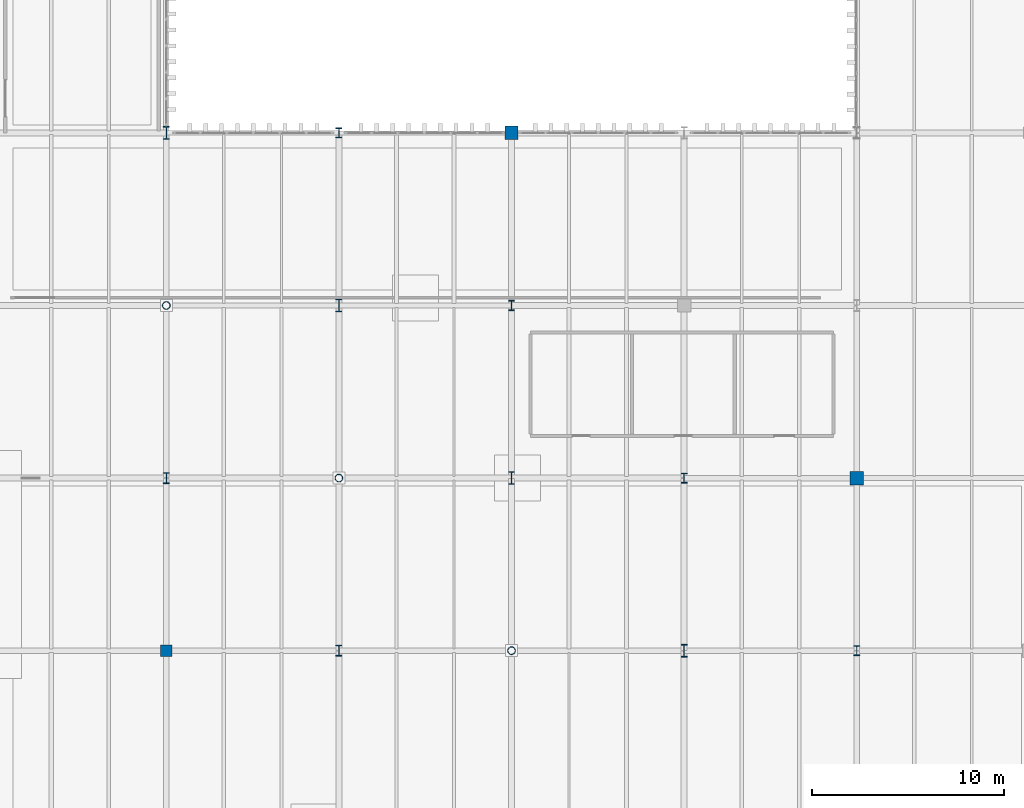
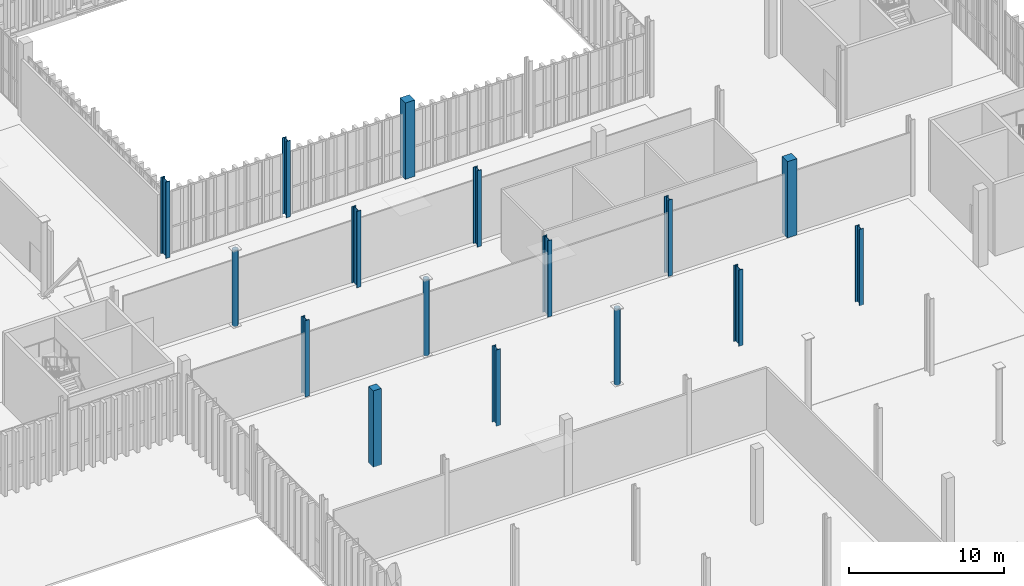
# One storey, part 15 of 211: 16 columns.
"""IFC4 building model written with IfcOpenShell, lengths in metres."""

from ifc_helpers import new_model, si_unit, direction, frame, origin, origin_2d, place, context, subcontext, project, spatial, rectangle, hollow_circle, i_section, extrude, material, material_profile, profile_set, type_object, element, save


model = new_model("IFC4")

# Units and contexts
model_context = context("Model", 3, precision=1e-05, world=origin(), true_north=direction((0.0, 1.0)))
body_context = subcontext(model_context, "Body", "Model", "MODEL_VIEW")
ifc_project = project(units=[si_unit("LENGTHUNIT", "METRE"), si_unit("AREAUNIT", "SQUARE_METRE"), si_unit("VOLUMEUNIT", "CUBIC_METRE"), si_unit("PLANEANGLEUNIT", "RADIAN"), si_unit("MASSUNIT", "GRAM", prefix="KILO")], contexts=[model_context])

# Site, building, storey
site_placement = place(None, origin())
site = spatial("IfcSite", under=ifc_project, at=site_placement, CompositionType="ELEMENT")
building_placement = place(site_placement, origin())
building = spatial("IfcBuilding", under=site, at=building_placement, Name="Barlavento Convention Centre", CompositionType="ELEMENT")
storey_placement = place(building_placement, frame((0.0, 0.0, 6.0)))
storey = spatial("IfcBuildingStorey", under=building, at=storey_placement, Name="L01", CompositionType="ELEMENT", Elevation=6.0)

# Columns
ifc_material_1 = material(Name="Steel S355", Category="steel")
ifc_material_profile_1 = material_profile(ifc_material_1, hollow_circle(Radius=0.203125, WallThickness=0.01611328125, at=origin_2d()), Name="CHS 406.4x16.0")
ifc_profile_set_1 = profile_set([ifc_material_profile_1], Name="Steel S355")
column_type_1 = type_object("IfcColumnType", Name="STR-COL-CHS406", PredefinedType="COLUMN", material=ifc_profile_set_1)
for number, where, z_axis, x_axis, name in (
    (1, (135.0, 54.0, 0.0), (0.0, 0.0, 1.0), (1.0, 0.0, 0.0), "L01 column SC14"),
    (2, (144.0, 45.0, 0.0), (0.0, 0.0, 1.0), (1.0, 0.0, 0.0), "L01 column SC14"),
    (3, (153.0, 36.0, 0.0), (0.0, 0.0, 1.0), (1.0, 0.0, 0.0), "L01 column SC14"),
):
    element("IfcColumn", number, at=place(storey_placement, frame(where, z_axis=z_axis, x_axis=x_axis)), inside=storey, type_object=column_type_1, Name=name, PredefinedType="COLUMN", context=body_context, shape_type="SweptSolid", body=[
        extrude(hollow_circle(Radius=0.203125, WallThickness=0.01611328125, at=origin_2d()), origin(), (0.0, 0.0, 1.0), 6.0),
    ])
ifc_material_profile_2 = material_profile(ifc_material_1, i_section(OverallWidth=0.305908203125, OverallDepth=0.52392578125, WebThickness=0.02099609375, FlangeThickness=0.0400390625, FilletRadius=0.027099609375, at=origin_2d()), Name="HEM 500")
ifc_profile_set_2 = profile_set([ifc_material_profile_2], Name="Steel S355")
column_type_2 = type_object("IfcColumnType", Name="STR-COL-HEM500", PredefinedType="COLUMN", material=ifc_profile_set_2)
for number, where, z_axis, x_axis, name in (
    (4, (144.0, 63.0, 0.0), (0.0, 0.0, 1.0), (1.0, 0.0, 0.0), "L01 column SC07"),
    (5, (153.0, 54.0, 0.0), (0.0, 0.0, 1.0), (1.0, 0.0, 0.0), "L01 column SC07"),
    (6, (162.0, 45.0, 0.0), (0.0, 0.0, 1.0), (1.0, 0.0, 0.0), "L01 column SC07"),
    (7, (171.0, 36.0, 0.0), (0.0, 0.0, 1.0), (1.0, 0.0, 0.0), "L01 column SC07"),
):
    element("IfcColumn", number, at=place(storey_placement, frame(where, z_axis=z_axis, x_axis=x_axis)), inside=storey, type_object=column_type_2, Name=name, PredefinedType="COLUMN", context=body_context, shape_type="SweptSolid", body=[
        extrude(i_section(OverallWidth=0.305908203125, OverallDepth=0.52392578125, WebThickness=0.02099609375, FlangeThickness=0.0400390625, FilletRadius=0.027099609375, at=origin_2d()), origin(), (0.0, 0.0, 1.0), 6.0),
    ])
ifc_material_profile_3 = material_profile(ifc_material_1, i_section(OverallWidth=0.305908203125, OverallDepth=0.572021484375, WebThickness=0.02099609375, FlangeThickness=0.0400390625, FilletRadius=0.027099609375, at=origin_2d()), Name="HEM 550")
ifc_profile_set_3 = profile_set([ifc_material_profile_3], Name="Steel S355")
column_type_3 = type_object("IfcColumnType", Name="STR-COL-HEM550", PredefinedType="COLUMN", material=ifc_profile_set_3)
for number, where, z_axis, x_axis, name in (
    (8, (135.0, 45.0, 0.0), (0.0, 0.0, 1.0), (1.0, 0.0, 0.0), "L01 column SC06"),
    (9, (144.0, 36.0, 0.0), (0.0, 0.0, 1.0), (1.0, 0.0, 0.0), "L01 column SC06"),
):
    element("IfcColumn", number, at=place(storey_placement, frame(where, z_axis=z_axis, x_axis=x_axis)), inside=storey, type_object=column_type_3, Name=name, PredefinedType="COLUMN", context=body_context, shape_type="SweptSolid", body=[
        extrude(i_section(OverallWidth=0.305908203125, OverallDepth=0.572021484375, WebThickness=0.02099609375, FlangeThickness=0.0400390625, FilletRadius=0.027099609375, at=origin_2d()), origin(), (0.0, 0.0, 1.0), 6.0),
    ])
ifc_material_2 = material(Name="Steel S460", Category="steel")
ifc_material_profile_4 = material_profile(ifc_material_2, i_section(OverallWidth=0.304931640625, OverallDepth=0.66796875, WebThickness=0.02099609375, FlangeThickness=0.0400390625, FilletRadius=0.027099609375, at=origin_2d()), Name="HEM 650")
ifc_profile_set_4 = profile_set([ifc_material_profile_4], Name="Steel S460")
column_type_4 = type_object("IfcColumnType", Name="STR-COL-HEM650", PredefinedType="COLUMN", material=ifc_profile_set_4)
for number, where, z_axis, x_axis, name in (
    (10, (135.0, 63.0, 0.0), (0.0, 0.0, 1.0), (1.0, 0.0, 0.0), "L01 column SC04"),
    (11, (144.0, 54.0, 0.0), (0.0, 0.0, 1.0), (1.0, 0.0, 0.0), "L01 column SC04"),
    (12, (153.0, 45.0, 0.0), (0.0, 0.0, 1.0), (1.0, 0.0, 0.0), "L01 column SC04"),
    (13, (162.0, 36.0, 0.0), (0.0, 0.0, 1.0), (1.0, 0.0, 0.0), "L01 column SC04"),
):
    element("IfcColumn", number, at=place(storey_placement, frame(where, z_axis=z_axis, x_axis=x_axis)), inside=storey, type_object=column_type_4, Name=name, PredefinedType="COLUMN", context=body_context, shape_type="SweptSolid", body=[
        extrude(i_section(OverallWidth=0.304931640625, OverallDepth=0.66796875, WebThickness=0.02099609375, FlangeThickness=0.0400390625, FilletRadius=0.027099609375, at=origin_2d()), origin(), (0.0, 0.0, 1.0), 6.0),
    ])
ifc_material_3 = material(Name="Concrete C40/50", Category="concrete")
ifc_material_profile_5 = material_profile(ifc_material_3, rectangle(XDim=0.60009765625, YDim=0.60009765625, at=origin_2d()), Name="RC 600x600")
ifc_profile_set_5 = profile_set([ifc_material_profile_5], Name="Concrete C40/50")
column_type_5 = type_object("IfcColumnType", Name="STR-COL-RC600", PredefinedType="COLUMN", material=ifc_profile_set_5)
column_placement = place(storey_placement, frame((135.0, 36.0, 0.0), z_axis=(0.0, 0.0, 1.0), x_axis=(1.0, 0.0, 0.0)))
element("IfcColumn", 14, at=column_placement, inside=storey, type_object=column_type_5, Name="L01 column CC07", PredefinedType="COLUMN", context=body_context, shape_type="SweptSolid", body=[
    extrude(rectangle(XDim=0.60009765625, YDim=0.60009765625, at=origin_2d()), origin(), (0.0, 0.0, 1.0), 6.0),
])
ifc_material_profile_6 = material_profile(ifc_material_3, rectangle(XDim=0.699951171875, YDim=0.699951171875, at=origin_2d()), Name="RC 700x700")
ifc_profile_set_6 = profile_set([ifc_material_profile_6], Name="Concrete C40/50")
column_type_6 = type_object("IfcColumnType", Name="STR-COL-RC700", PredefinedType="COLUMN", material=ifc_profile_set_6)
for number, where, z_axis, x_axis, name in (
    (15, (153.0, 63.0, 0.0), (0.0, 0.0, 1.0), (1.0, 0.0, 0.0), "L01 column CC06"),
    (16, (171.0, 45.0, 0.0), (0.0, 0.0, 1.0), (1.0, 0.0, 0.0), "L01 column CC06"),
):
    element("IfcColumn", number, at=place(storey_placement, frame(where, z_axis=z_axis, x_axis=x_axis)), inside=storey, type_object=column_type_6, Name=name, PredefinedType="COLUMN", context=body_context, shape_type="SweptSolid", body=[
        extrude(rectangle(XDim=0.699951171875, YDim=0.699951171875, at=origin_2d()), origin(), (0.0, 0.0, 1.0), 6.0),
    ])

save(model, "model.ifc")
